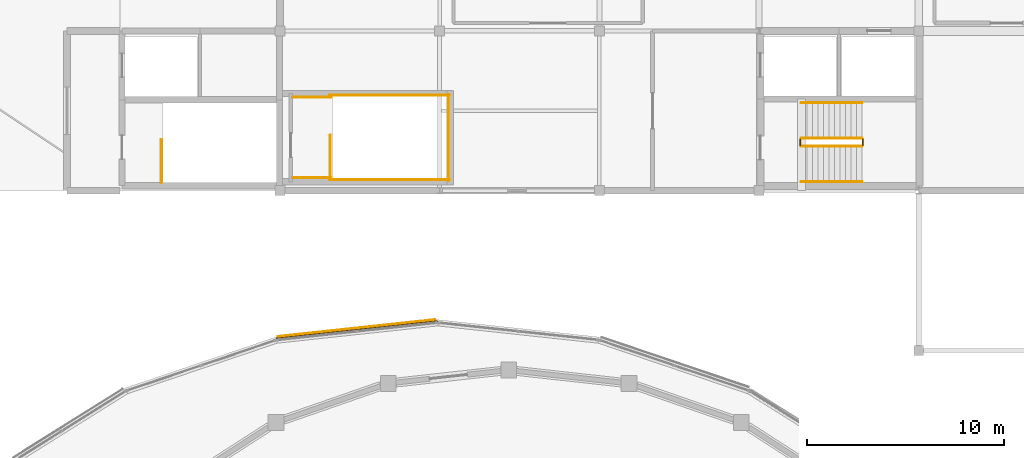
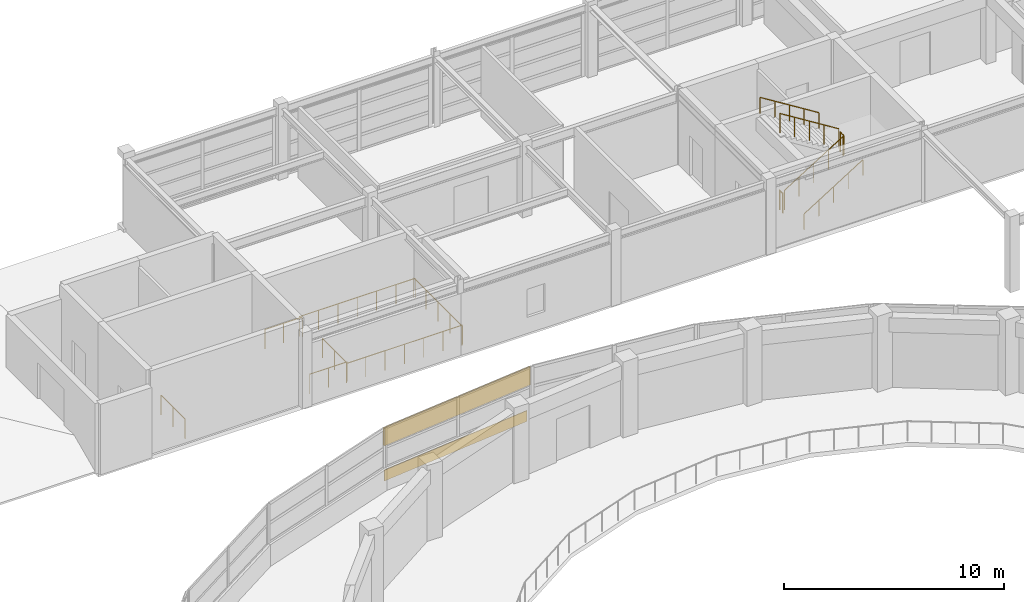
# One storey, part 52 of 54: 13 railings, 1 covering, 1 shading device.
"""IFC4 building model written with IfcOpenShell, lengths in metres."""

from ifc_helpers import new_model, si_unit, direction, frame, origin, origin_2d, place, context, subcontext, project, spatial, rectangle, circle, extrude, material, layer, layer_set, type_object, element, save


model = new_model("IFC4")

# Units and contexts
model_context = context("Model", 3, precision=1e-05, world=origin(), true_north=direction((0.0, 1.0)))
body_context = subcontext(model_context, "Body", "Model", "MODEL_VIEW")
ifc_project = project(units=[si_unit("LENGTHUNIT", "METRE"), si_unit("AREAUNIT", "SQUARE_METRE"), si_unit("VOLUMEUNIT", "CUBIC_METRE"), si_unit("PLANEANGLEUNIT", "RADIAN"), si_unit("MASSUNIT", "GRAM", prefix="KILO")], contexts=[model_context])

# Site, building, storey
site_placement = place(None, origin())
site = spatial("IfcSite", under=ifc_project, at=site_placement, CompositionType="ELEMENT")
building_placement = place(site_placement, origin())
building = spatial("IfcBuilding", under=site, at=building_placement, Name="Parian Resonance Hall", CompositionType="ELEMENT")
storey_placement = place(building_placement, frame((0.0, 0.0, 15.0)))
storey = spatial("IfcBuildingStorey", under=building, at=storey_placement, Name="L03", CompositionType="ELEMENT", Elevation=15.0)

# Covering
ifc_material_1 = material(Name="Polychrome trencadis ceramic mosaic cladding")
ifc_layer_1 = layer(ifc_material_1, 0.030029296875)
ifc_layer_set_1 = layer_set([ifc_layer_1], Name="Polychrome trencadis ceramic mosaic cladding")
covering_type = type_object("IfcCoveringType", Name="COV-MOSAIC-CLAD", PredefinedType="CLADDING", material=ifc_layer_set_1)
covering_placement = place(storey_placement, frame((36.2919921875, 65.93359375, 0.300048828125), z_axis=(0.0, 0.0, 1.0), x_axis=(0.994272845588, 0.106871457957, 0.0)))
element("IfcCovering", 1, at=covering_placement, inside=storey, type_object=covering_type, Name="Polychrome ceramic mosaic frieze L03-064", PredefinedType="CLADDING", context=body_context, shape_type="SweptSolid", body=[
    extrude(rectangle(XDim=8.02587890625, YDim=0.030029296875, at=origin_2d()), origin(), (0.0, 0.0, 1.0), 0.60009765625),
])

# Railings
ifc_material_2 = material(Name="Patinated bronze whiplash metalwork")
railing_type_1 = type_object("IfcRailingType", Name="RAIL-HALL-BAL-1120", PredefinedType="BALUSTRADE", material=ifc_material_2)
railing_1_placement = place(storey_placement, frame((34.9599609375, 73.5, 0.0)))
element("IfcRailing", 2, at=railing_1_placement, inside=storey, type_object=railing_type_1, Name="L03 ST-07 top well guard 1", PredefinedType="BALUSTRADE", context=body_context, shape_type="SweptSolid", body=[
    extrude(circle(Radius=0.02392578125, at=origin_2d()), frame((0.0, 0.0, 1.076171875), z_axis=(0.0, 1.0, 0.0), x_axis=(-1.0, 0.0, 0.0)), (0.0, 0.0, 1.0), 2.219970703125),
    extrude(circle(Radius=0.02099609375, at=origin_2d()), origin(), (0.0, 0.0, 1.0), 1.052001953125),
    extrude(circle(Radius=0.02099609375, at=origin_2d()), frame((0.0, 1.10986328125, 0.0)), (0.0, 0.0, 1.0), 1.052001953125),
    extrude(circle(Radius=0.02099609375, at=origin_2d()), frame((0.0, 2.219970703125, 0.0)), (0.0, 0.0, 1.0), 1.052001953125),
])
for number, where, name in (
    (3, (34.909912109375, 73.449951171875, 0.0), "L03 ST-07 top well guard 2"),
    (4, (34.909912109375, 77.72998046875, 0.0), "L03 ST-07 top well guard 3"),
):
    element("IfcRailing", number, at=place(storey_placement, frame(where)), inside=storey, type_object=railing_type_1, Name=name, PredefinedType="BALUSTRADE", context=body_context, shape_type="SweptSolid", body=[
        extrude(circle(Radius=0.02392578125, at=origin_2d()), frame((0.0, 0.0, 1.076171875), z_axis=(1.0, 0.0, 0.0), x_axis=(0.0, 1.0, 0.0)), (0.0, 0.0, 1.0), 6.080078125),
        extrude(circle(Radius=0.02099609375, at=origin_2d()), origin(), (0.0, 0.0, 1.0), 1.052001953125),
        extrude(circle(Radius=0.02099609375, at=origin_2d()), frame((1.013427734375, 0.0, 0.0)), (0.0, 0.0, 1.0), 1.052001953125),
        extrude(circle(Radius=0.02099609375, at=origin_2d()), frame((2.026611328125, 0.0, 0.0)), (0.0, 0.0, 1.0), 1.052001953125),
        extrude(circle(Radius=0.02099609375, at=origin_2d()), frame((3.0400390625, 0.0, 0.0)), (0.0, 0.0, 1.0), 1.052001953125),
        extrude(circle(Radius=0.02099609375, at=origin_2d()), frame((4.053466796875, 0.0, 0.0)), (0.0, 0.0, 1.0), 1.052001953125),
        extrude(circle(Radius=0.02099609375, at=origin_2d()), frame((5.066650390625, 0.0, 0.0)), (0.0, 0.0, 1.0), 1.052001953125),
        extrude(circle(Radius=0.02099609375, at=origin_2d()), frame((6.080078125, 0.0, 0.0)), (0.0, 0.0, 1.0), 1.052001953125),
    ])
railing_2_placement = place(storey_placement, frame((40.93994140625, 73.39990234375, 0.0)))
element("IfcRailing", 5, at=railing_2_placement, inside=storey, type_object=railing_type_1, Name="L03 ST-07 top well guard 4", PredefinedType="BALUSTRADE", context=body_context, shape_type="SweptSolid", body=[
    extrude(circle(Radius=0.02392578125, at=origin_2d()), frame((0.0, 0.0, 1.076171875), z_axis=(0.0, 1.0, 0.0), x_axis=(-1.0, 0.0, 0.0)), (0.0, 0.0, 1.0), 4.380126953125),
    extrude(circle(Radius=0.02099609375, at=origin_2d()), origin(), (0.0, 0.0, 1.0), 1.052001953125),
    extrude(circle(Radius=0.02099609375, at=origin_2d()), frame((0.0, 1.094970703125, 0.0)), (0.0, 0.0, 1.0), 1.052001953125),
    extrude(circle(Radius=0.02099609375, at=origin_2d()), frame((0.0, 2.18994140625, 0.0)), (0.0, 0.0, 1.0), 1.052001953125),
    extrude(circle(Radius=0.02099609375, at=origin_2d()), frame((0.0, 3.28515625, 0.0)), (0.0, 0.0, 1.0), 1.052001953125),
    extrude(circle(Radius=0.02099609375, at=origin_2d()), frame((0.0, 4.380126953125, 0.0)), (0.0, 0.0, 1.0), 1.052001953125),
])
for number, where, name in (
    (6, (33.050048828125, 73.550048828125, 0.0), "L03 ST-07 top well guard 5"),
    (7, (33.050048828125, 77.6298828125, 0.0), "L03 ST-07 top well guard 6"),
):
    element("IfcRailing", number, at=place(storey_placement, frame(where)), inside=storey, type_object=railing_type_1, Name=name, PredefinedType="BALUSTRADE", context=body_context, shape_type="SweptSolid", body=[
        extrude(circle(Radius=0.02392578125, at=origin_2d()), frame((0.0, 0.0, 1.076171875), z_axis=(1.0, 0.0, 0.0), x_axis=(0.0, 1.0, 0.0)), (0.0, 0.0, 1.0), 1.9599609375),
        extrude(circle(Radius=0.02099609375, at=origin_2d()), origin(), (0.0, 0.0, 1.0), 1.052001953125),
        extrude(circle(Radius=0.02099609375, at=origin_2d()), frame((0.97998046875, 0.0, 0.0)), (0.0, 0.0, 1.0), 1.052001953125),
        extrude(circle(Radius=0.02099609375, at=origin_2d()), frame((1.9599609375, 0.0, 0.0)), (0.0, 0.0, 1.0), 1.052001953125),
    ])
ifc_material_3 = material(Name="Patinated bronze whiplash metalwork")
railing_type_2 = type_object("IfcRailingType", Name="RAIL-STAIR-GRD-1100", PredefinedType="GUARDRAIL", material=ifc_material_3)
railing_3_placement = place(storey_placement, frame((58.840087890625, 75.14990234375, 0.175048828125)))
element("IfcRailing", 8, at=railing_3_placement, inside=storey, type_object=railing_type_2, Name="L03 ST-01 stair guard 1", PredefinedType="GUARDRAIL", context=body_context, shape_type="SweptSolid", body=[
    extrude(circle(Radius=0.02392578125, at=origin_2d()), frame((0.0, 0.0, 1.076171875), z_axis=(0.847979421464, 0.0, 0.530029150871), x_axis=(0.0, 1.0, 0.0)), (0.0, 0.0, 1.0), 3.632080078125),
    extrude(circle(Radius=0.02099609375, at=origin_2d()), origin(), (0.0, 0.0, 1.0), 1.052001953125),
    extrude(circle(Radius=0.02099609375, at=origin_2d()), frame((0.77001953125, 0.0, 0.481201171875)), (0.0, 0.0, 1.0), 1.052001953125),
    extrude(circle(Radius=0.02099609375, at=origin_2d()), frame((1.5400390625, 0.0, 0.96240234375)), (0.0, 0.0, 1.0), 1.052001953125),
    extrude(circle(Radius=0.02099609375, at=origin_2d()), frame((2.309814453125, 0.0, 1.44384765625)), (0.0, 0.0, 1.0), 1.052001953125),
    extrude(circle(Radius=0.02099609375, at=origin_2d()), frame((3.079833984375, 0.0, 1.925048828125)), (0.0, 0.0, 1.0), 1.052001953125),
])
railing_4_placement = place(storey_placement, frame((61.969970703125, 75.199951171875, 2.10009765625)))
element("IfcRailing", 9, at=railing_4_placement, inside=storey, type_object=railing_type_2, Name="L03 ST-01 stair guard 2", PredefinedType="GUARDRAIL", context=body_context, shape_type="SweptSolid", body=[
    extrude(circle(Radius=0.02392578125, at=origin_2d()), frame((0.0, 0.0, 1.076171875), z_axis=(0.0, 1.0, 0.0), x_axis=(-1.0, 0.0, 0.0)), (0.0, 0.0, 1.0), 0.300048828125),
    extrude(circle(Radius=0.02099609375, at=origin_2d()), origin(), (0.0, 0.0, 1.0), 1.052001953125),
    extrude(circle(Radius=0.02099609375, at=origin_2d()), frame((0.0, 0.300048828125, 0.0)), (0.0, 0.0, 1.0), 1.052001953125),
])
railing_5_placement = place(storey_placement, frame((61.919921875, 75.550048828125, 2.27490234375)))
element("IfcRailing", 10, at=railing_5_placement, inside=storey, type_object=railing_type_2, Name="L03 ST-01 stair guard 3", PredefinedType="GUARDRAIL", context=body_context, shape_type="SweptSolid", body=[
    extrude(circle(Radius=0.02392578125, at=origin_2d()), frame((0.0, 0.0, 1.076171875), z_axis=(-0.847979421464, 0.0, 0.530029150871), x_axis=(0.0, -1.0, 0.0)), (0.0, 0.0, 1.0), 3.632080078125),
    extrude(circle(Radius=0.02099609375, at=origin_2d()), origin(), (0.0, 0.0, 1.0), 1.052001953125),
    extrude(circle(Radius=0.02099609375, at=origin_2d()), frame((-0.77001953125, 0.0, 0.481201171875)), (0.0, 0.0, 1.0), 1.052001953125),
    extrude(circle(Radius=0.02099609375, at=origin_2d()), frame((-1.5400390625, 0.0, 0.96240234375)), (0.0, 0.0, 1.0), 1.052001953125),
    extrude(circle(Radius=0.02099609375, at=origin_2d()), frame((-2.309814453125, 0.0, 1.44384765625)), (0.0, 0.0, 1.0), 1.052001953125),
    extrude(circle(Radius=0.02099609375, at=origin_2d()), frame((-3.079833984375, 0.0, 1.925048828125)), (0.0, 0.0, 1.0), 1.052001953125),
])
railing_6_placement = place(storey_placement, frame((58.7900390625, 75.199951171875, 0.0)))
element("IfcRailing", 11, at=railing_6_placement, inside=storey, type_object=railing_type_2, Name="L03 ST-01 stair guard 4", PredefinedType="GUARDRAIL", context=body_context, shape_type="SweptSolid", body=[
    extrude(circle(Radius=0.02392578125, at=origin_2d()), frame((0.0, 0.0, 1.076171875), z_axis=(0.0, 1.0, 0.0), x_axis=(-1.0, 0.0, 0.0)), (0.0, 0.0, 1.0), 0.300048828125),
    extrude(circle(Radius=0.02099609375, at=origin_2d()), origin(), (0.0, 0.0, 1.0), 1.052001953125),
    extrude(circle(Radius=0.02099609375, at=origin_2d()), frame((0.0, 0.300048828125, 0.0)), (0.0, 0.0, 1.0), 1.052001953125),
])
railing_7_placement = place(storey_placement, frame((26.3701171875, 73.300048828125, 0.0)))
element("IfcRailing", 12, at=railing_7_placement, inside=storey, type_object=railing_type_2, Name="L03 ST-04 top well guard 1", PredefinedType="GUARDRAIL", context=body_context, shape_type="SweptSolid", body=[
    extrude(circle(Radius=0.02392578125, at=origin_2d()), frame((0.0, 0.0, 1.076171875), z_axis=(0.0, 1.0, 0.0), x_axis=(-1.0, 0.0, 0.0)), (0.0, 0.0, 1.0), 2.179931640625),
    extrude(circle(Radius=0.02099609375, at=origin_2d()), origin(), (0.0, 0.0, 1.0), 1.052001953125),
    extrude(circle(Radius=0.02099609375, at=origin_2d()), frame((0.0, 1.08984375, 0.0)), (0.0, 0.0, 1.0), 1.052001953125),
    extrude(circle(Radius=0.02099609375, at=origin_2d()), frame((0.0, 2.179931640625, 0.0)), (0.0, 0.0, 1.0), 1.052001953125),
])
ifc_material_4 = material(Name="Patinated bronze whiplash metalwork")
railing_type_3 = type_object("IfcRailingType", Name="RAIL-STAIR-HR-900", PredefinedType="HANDRAIL", material=ifc_material_4)
railing_8_placement = place(storey_placement, frame((58.840087890625, 73.35009765625, 0.175048828125)))
element("IfcRailing", 13, at=railing_8_placement, inside=storey, type_object=railing_type_3, Name="L03 ST-01 stair handrail 1", PredefinedType="HANDRAIL", context=body_context, shape_type="SweptSolid", body=[
    extrude(circle(Radius=0.02392578125, at=origin_2d()), frame((0.0, 0.0, 0.8759765625), z_axis=(0.847979421464, 0.0, 0.530029150871), x_axis=(0.0, 1.0, 0.0)), (0.0, 0.0, 1.0), 3.632080078125),
    extrude(circle(Radius=0.02099609375, at=origin_2d()), origin(), (0.0, 0.0, 1.0), 0.851806640625),
    extrude(circle(Radius=0.02099609375, at=origin_2d()), frame((0.77001953125, 0.0, 0.481201171875)), (0.0, 0.0, 1.0), 0.851806640625),
    extrude(circle(Radius=0.02099609375, at=origin_2d()), frame((1.5400390625, 0.0, 0.96240234375)), (0.0, 0.0, 1.0), 0.851806640625),
    extrude(circle(Radius=0.02099609375, at=origin_2d()), frame((2.309814453125, 0.0, 1.44384765625)), (0.0, 0.0, 1.0), 0.851806640625),
    extrude(circle(Radius=0.02099609375, at=origin_2d()), frame((3.079833984375, 0.0, 1.925048828125)), (0.0, 0.0, 1.0), 0.851806640625),
])
railing_9_placement = place(storey_placement, frame((61.919921875, 77.35009765625, 2.27490234375)))
element("IfcRailing", 14, at=railing_9_placement, inside=storey, type_object=railing_type_3, Name="L03 ST-01 stair handrail 2", PredefinedType="HANDRAIL", context=body_context, shape_type="SweptSolid", body=[
    extrude(circle(Radius=0.02392578125, at=origin_2d()), frame((0.0, 0.0, 0.8759765625), z_axis=(-0.847979421464, 0.0, 0.530029150871), x_axis=(0.0, -1.0, 0.0)), (0.0, 0.0, 1.0), 3.632080078125),
    extrude(circle(Radius=0.02099609375, at=origin_2d()), origin(), (0.0, 0.0, 1.0), 0.851806640625),
    extrude(circle(Radius=0.02099609375, at=origin_2d()), frame((-0.77001953125, 0.0, 0.481201171875)), (0.0, 0.0, 1.0), 0.851806640625),
    extrude(circle(Radius=0.02099609375, at=origin_2d()), frame((-1.5400390625, 0.0, 0.96240234375)), (0.0, 0.0, 1.0), 0.851806640625),
    extrude(circle(Radius=0.02099609375, at=origin_2d()), frame((-2.309814453125, 0.0, 1.44384765625)), (0.0, 0.0, 1.0), 0.851806640625),
    extrude(circle(Radius=0.02099609375, at=origin_2d()), frame((-3.079833984375, 0.0, 1.925048828125)), (0.0, 0.0, 1.0), 0.851806640625),
])

# Shading device
ifc_material_5 = material(Name="Patinated bronze persiana louver")
ifc_layer_2 = layer(ifc_material_5, 0.080078125)
ifc_layer_set_2 = layer_set([ifc_layer_2], Name="Patinated bronze persiana louver")
shading_device_type = type_object("IfcShadingDeviceType", Name="SHD-PERSIANA-JAL", PredefinedType="JALOUSIE", material=ifc_layer_set_2)
shading_device_placement = place(storey_placement, frame((36.303466796875, 65.82763671875, 2.35986328125), z_axis=(0.0, 0.0, 1.0), x_axis=(0.994272845588, 0.106871457957, 0.0)))
element("IfcShadingDevice", 15, at=shading_device_placement, inside=storey, type_object=shading_device_type, Name="Bronze persiana storm jalousie L03-003", PredefinedType="JALOUSIE", context=body_context, shape_type="SweptSolid", body=[
    extrude(rectangle(XDim=8.225830078125, YDim=0.080078125, at=origin_2d()), origin(), (0.0, 0.0, 1.0), 0.989990234375),
])

save(model, "model.ifc")
